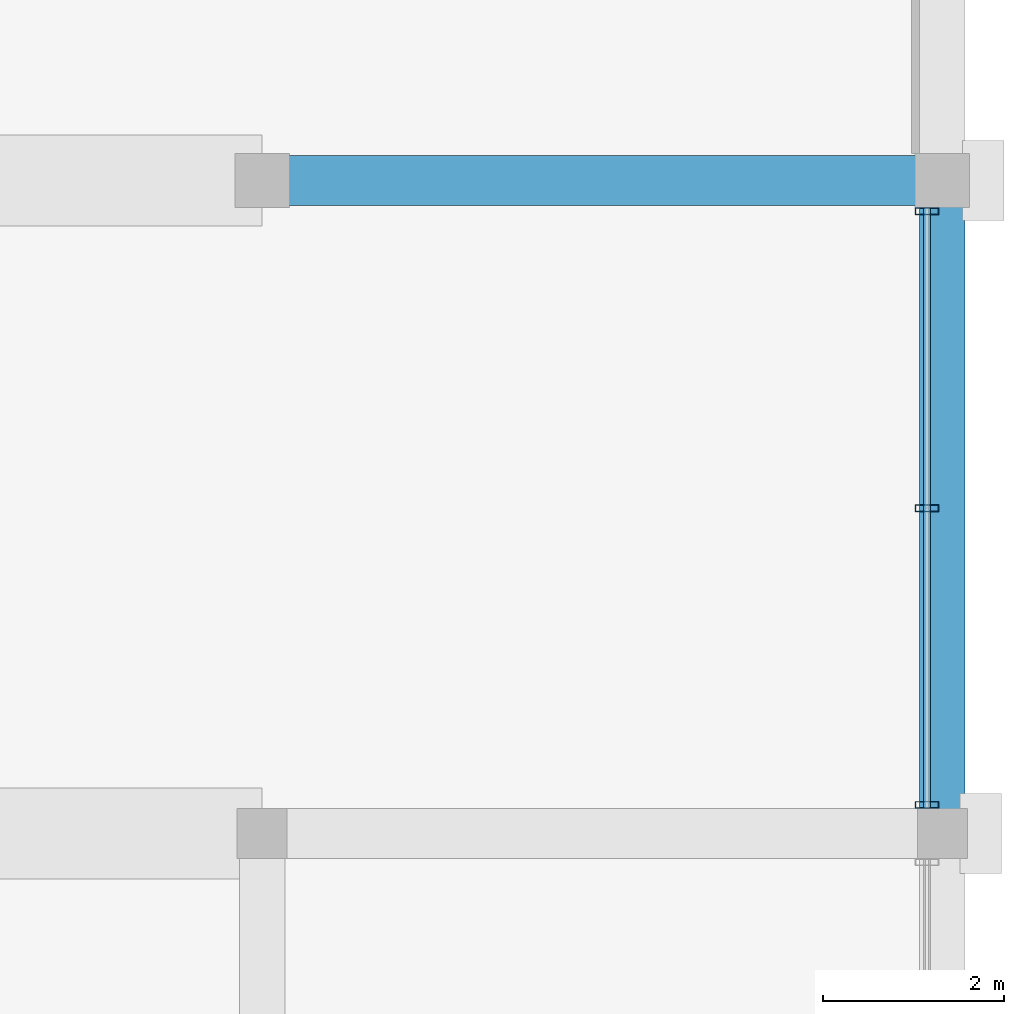
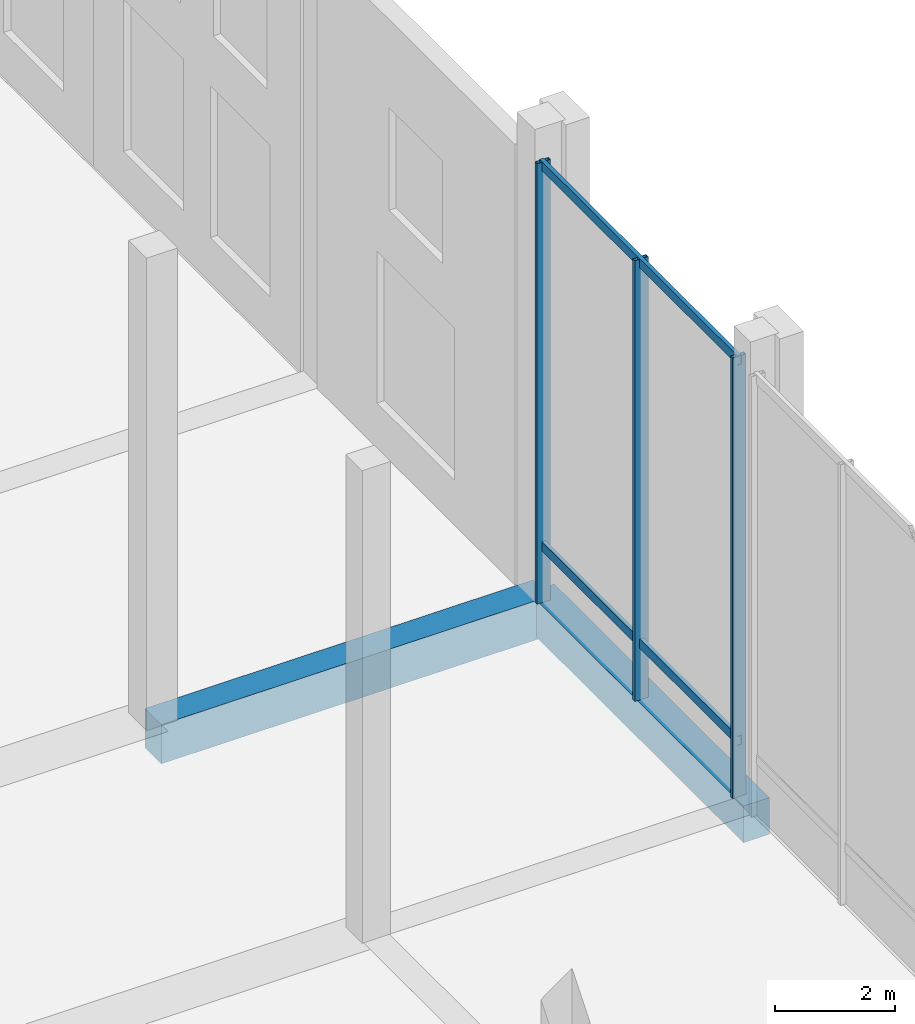
# One storey, part 50 of 80: 5 members, 2 beams, 1 element without a shape of its own.
"""IFC4 building model written with IfcOpenShell, lengths in metres."""

from ifc_helpers import new_model, si_unit, direction, frame, origin, origin_2d, place, context, subcontext, project, spatial, rectangle, hollow_rectangle, extrude, material, material_profile, profile_set, type_object, element, aggregate, save


model = new_model("IFC4")

# Units and contexts
model_context = context("Model", 3, precision=1e-05, world=origin(), true_north=direction((0.0, 1.0)))
body_context = subcontext(model_context, "Body", "Model", "MODEL_VIEW")
ifc_project = project(units=[si_unit("LENGTHUNIT", "METRE"), si_unit("AREAUNIT", "SQUARE_METRE"), si_unit("VOLUMEUNIT", "CUBIC_METRE"), si_unit("PLANEANGLEUNIT", "RADIAN"), si_unit("MASSUNIT", "GRAM", prefix="KILO")], contexts=[model_context])

# Site, building, storey
site_placement = place(None, origin())
site = spatial("IfcSite", under=ifc_project, at=site_placement, CompositionType="ELEMENT")
building_placement = place(site_placement, origin())
building = spatial("IfcBuilding", under=site, at=building_placement, Name="Akrevak Sports Hall", CompositionType="ELEMENT")
storey_placement = place(building_placement, frame((0.0, 0.0, 14.0)))
storey = spatial("IfcBuildingStorey", under=building, at=storey_placement, Name="L03", CompositionType="ELEMENT", Elevation=14.0)

# Curtain wall, members
ifc_material_1 = material(Name="Anodized Bronze Aluminium & Low-E Glass", Category="aluminium")
curtain_wall_type = type_object("IfcCurtainWallType", Name="ARC-CW-POD-64x94", PredefinedType="NOTDEFINED", material=ifc_material_1)
curtain_wall_placement = place(storey_placement, origin())
curtain_wall = element("IfcCurtainWall", 1, at=curtain_wall_placement, inside=storey, type_object=curtain_wall_type, Name="Curtain Wall CW-L03-E09", PredefinedType="NOTDEFINED")
ifc_material_2 = material(Name="Anodized Bronze Aluminium", Category="aluminium")
ifc_material_profile_1 = material_profile(ifc_material_2, hollow_rectangle(XDim=0.074951171875, YDim=0.260009765625, WallThickness=0.0048828125, at=origin_2d()), Name="CWM 75x260", Category="aluminium")
ifc_profile_set_1 = profile_set([ifc_material_profile_1], Name="Anodized Bronze Aluminium")
member_type_1 = type_object("IfcMemberType", Name="ARC-CWM-80x180", PredefinedType="MULLION", material=ifc_profile_set_1)
member_1_placement = place(storey_placement, frame((167.830078125, 55.514892578125, 0.0), z_axis=(0.0, 0.0, 1.0), x_axis=(0.0, 1.0, 0.0)))
member_1 = element("IfcMember", 2, at=member_1_placement, type_object=member_type_1, Name="Curtain Wall Mullion CW-L03-E09-M1", PredefinedType="MULLION", context=body_context, shape_type="SweptSolid", body=[
    extrude(hollow_rectangle(XDim=0.074951171875, YDim=0.260009765625, WallThickness=0.0048828125, at=origin_2d()), origin(), (0.0, 0.0, 1.0), 9.0),
])
member_2_placement = place(storey_placement, frame((167.830078125, 58.78759765625, 0.0), z_axis=(0.0, 0.0, 1.0), x_axis=(0.0, 1.0, 0.0)))
member_2 = element("IfcMember", 3, at=member_2_placement, type_object=member_type_1, Name="Curtain Wall Mullion CW-L03-E09-M2", PredefinedType="MULLION", context=body_context, shape_type="SweptSolid", body=[
    extrude(hollow_rectangle(XDim=0.074951171875, YDim=0.260009765625, WallThickness=0.0048828125, at=origin_2d()), origin(), (0.0, 0.0, 1.0), 9.0),
])
member_3_placement = place(storey_placement, frame((167.830078125, 62.06005859375, 0.0), z_axis=(0.0, 0.0, 1.0), x_axis=(0.0, 1.0, 0.0)))
member_3 = element("IfcMember", 4, at=member_3_placement, type_object=member_type_1, Name="Curtain Wall Mullion CW-L03-E09-M3", PredefinedType="MULLION", context=body_context, shape_type="SweptSolid", body=[
    extrude(hollow_rectangle(XDim=0.074951171875, YDim=0.260009765625, WallThickness=0.0048828125, at=origin_2d()), origin(), (0.0, 0.0, 1.0), 9.0),
])
ifc_material_profile_2 = material_profile(ifc_material_2, hollow_rectangle(XDim=0.074951171875, YDim=0.18994140625, WallThickness=0.00439453125, at=origin_2d()), Name="CWT 75x190", Category="aluminium")
ifc_profile_set_2 = profile_set([ifc_material_profile_2], Name="Anodized Bronze Aluminium")
member_type_2 = type_object("IfcMemberType", Name="ARC-CWT-80x150", PredefinedType="USERDEFINED", material=ifc_profile_set_2)
member_4_placement = place(storey_placement, frame((167.830078125, 55.47509765625, 1.14990234375), z_axis=(0.0, 1.0, 0.0), x_axis=(-1.0, 0.0, 0.0)))
member_4 = element("IfcMember", 5, at=member_4_placement, type_object=member_type_2, Name="Curtain Wall Transom CW-L03-E09-T1", ObjectType="TRANSOM", PredefinedType="USERDEFINED", context=body_context, shape_type="SweptSolid", body=[
    extrude(hollow_rectangle(XDim=0.074951171875, YDim=0.18994140625, WallThickness=0.00439453125, at=origin_2d()), origin(), (0.0, 0.0, 1.0), 6.625),
])
member_5_placement = place(storey_placement, frame((167.830078125, 55.47509765625, 8.919921875), z_axis=(0.0, 1.0, 0.0), x_axis=(-1.0, 0.0, 0.0)))
member_5 = element("IfcMember", 6, at=member_5_placement, type_object=member_type_2, Name="Curtain Wall Transom CW-L03-E09-T2", ObjectType="TRANSOM", PredefinedType="USERDEFINED", context=body_context, shape_type="SweptSolid", body=[
    extrude(hollow_rectangle(XDim=0.074951171875, YDim=0.18994140625, WallThickness=0.00439453125, at=origin_2d()), origin(), (0.0, 0.0, 1.0), 6.625),
])
aggregate(curtain_wall, [member_1, member_2, member_3, member_4, member_5])

# Beams
ifc_material_3 = material(Name="Concrete C40/50", Category="concrete")
ifc_material_profile_3 = material_profile(ifc_material_3, rectangle(XDim=0.5, YDim=0.75, at=origin_2d()), Name="BM 500x750", Category="concrete")
ifc_profile_set_3 = profile_set([ifc_material_profile_3], Name="Concrete C40/50")
beam_type_1 = type_object("IfcBeamType", Name="STR-BM-RC500x750", PredefinedType="BEAM", material=ifc_profile_set_3)
beam_1_placement = place(storey_placement, frame((168.0, 55.199951171875, -0.375), z_axis=(0.0, 1.0, 0.0), x_axis=(-1.0, 0.0, 0.0)))
element("IfcBeam", 7, at=beam_1_placement, inside=storey, type_object=beam_type_1, Name="Girder 23/I-J (L03)", PredefinedType="BEAM", context=body_context, shape_type="SweptSolid", body=[
    extrude(rectangle(XDim=0.5, YDim=0.75, at=origin_2d()), origin(), (0.0, 0.0, 1.0), 7.199951171875),
])
ifc_material_profile_4 = material_profile(ifc_material_3, rectangle(XDim=0.550048828125, YDim=0.800048828125, at=origin_2d()), Name="BM 550x800", Category="concrete")
ifc_profile_set_4 = profile_set([ifc_material_profile_4], Name="Concrete C40/50")
beam_type_2 = type_object("IfcBeamType", Name="STR-BM-RC550x800", PredefinedType="BEAM", material=ifc_profile_set_4)
beam_2_placement = place(storey_placement, frame((160.5, 62.39990234375, -0.39990234375), z_axis=(1.0, 0.0, 0.0), x_axis=(0.0, 1.0, 0.0)))
element("IfcBeam", 8, at=beam_2_placement, inside=storey, type_object=beam_type_2, Name="Girder J/22-23 (L03)", PredefinedType="BEAM", context=body_context, shape_type="SweptSolid", body=[
    extrude(rectangle(XDim=0.550048828125, YDim=0.800048828125, at=origin_2d()), origin(), (0.0, 0.0, 1.0), 7.5),
])

save(model, "model.ifc")
